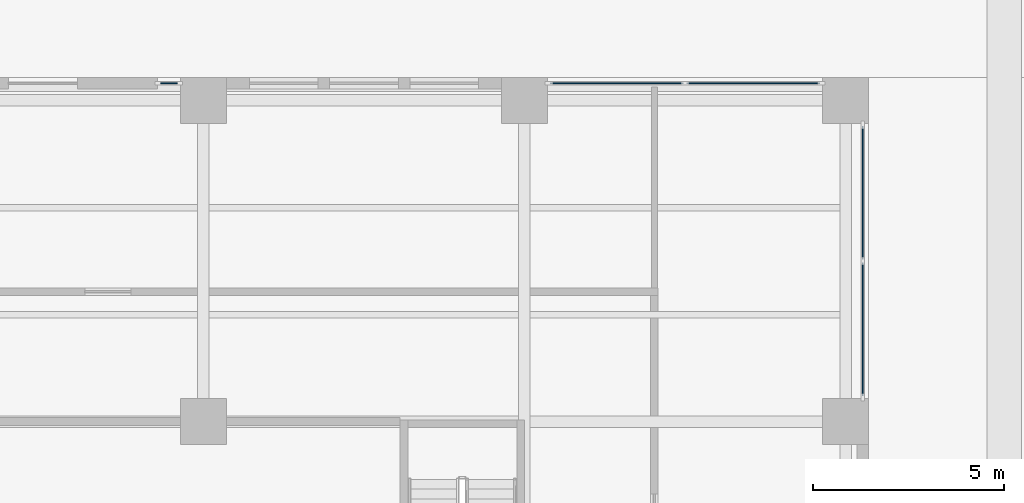
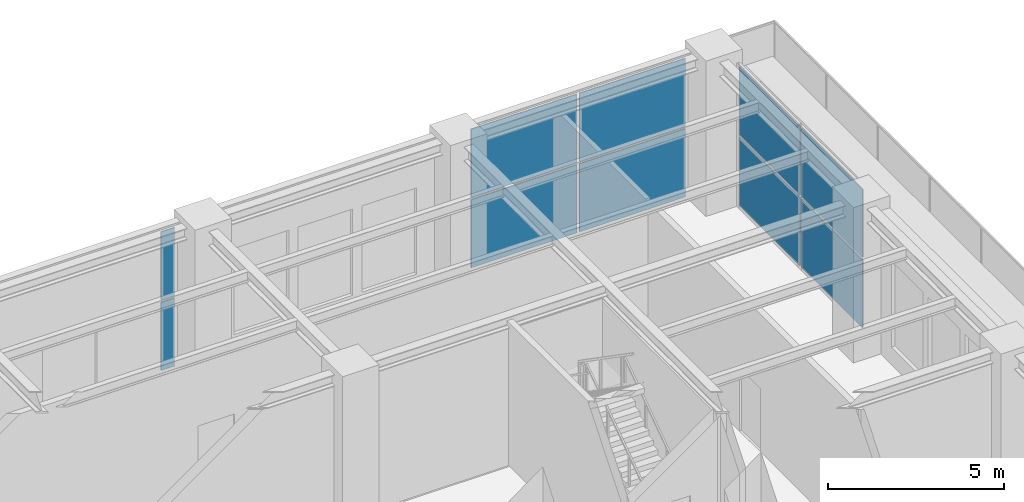
# One storey, part 21 of 36: 10 plates, 3 elements without a shape of their own.
"""IFC4 building model written with IfcOpenShell, lengths in metres."""

import ifcopenshell
import ifcopenshell.guid

model = None  # the IFC model being written
_history = None  # IfcOwnerHistory: only IFC2X3 demands one
_inside = {}  # id of a spatial element -> (the spatial element, [elements in it])
_under = {}  # id of a project, library or spatial element -> (it, [spatial elements below it])
_declared = {}  # id of a project -> (the project, [libraries it declares])
_typed = {}  # id of a type object -> (the type object, [elements of that type])
_made_of = {}  # id of a material, layer set ... -> (it, [elements and type objects made of it])


def new_model(schema):
    """Start an empty IFC model of exactly this schema.

    Asked for "IFC4X3", IfcOpenShell would pick the latest addendum, in which some entities
    have other attributes; the version numbers below select the first issue.
    IFC2X3 requires an IfcOwnerHistory on every rooted entity: one is made here for all.
    """
    global model, _history
    if schema == "IFC4X3":
        model = ifcopenshell.file(schema_version=(4, 3, 0, 0))
    else:
        model = ifcopenshell.file(schema=schema)
    _inside.clear()
    _under.clear()
    _declared.clear()
    _typed.clear()
    _made_of.clear()
    _history = None
    if model.schema == "IFC2X3":
        org = make("IfcOrganization", Name="unknown")
        user = make(
            "IfcPersonAndOrganization",
            ThePerson=make("IfcPerson", FamilyName="unknown"),
            TheOrganization=org,
        )
        app = make(
            "IfcApplication",
            ApplicationDeveloper=org,
            Version="unknown",
            ApplicationFullName="unknown",
            ApplicationIdentifier="unknown",
        )
        _history = make(
            "IfcOwnerHistory",
            OwningUser=user,
            OwningApplication=app,
            ChangeAction="ADDED",
            CreationDate=0,
        )
    return model


def make(cls, **values):
    """One entity of the class cls with the attributes given. An attribute that is None is left unset."""
    return model.create_entity(
        cls, **{name: value for name, value in values.items() if value is not None}
    )


def rooted(cls, **values):
    """An entity with a GlobalId (a new one), such as an element, a storey or a relation."""
    return make(cls, GlobalId=ifcopenshell.guid.new(), OwnerHistory=_history, **values)


def si_unit(unit_type, name, prefix=None):
    """IfcSIUnit, for example si_unit("LENGTHUNIT", "METRE", prefix="MILLI")."""
    return make("IfcSIUnit", UnitType=unit_type, Prefix=prefix, Name=name)


def assignment(units):
    """IfcUnitAssignment: the units of a project."""
    return None if units is None else make("IfcUnitAssignment", Units=units)


def point(xyz):
    """IfcCartesianPoint."""
    return None if xyz is None else make("IfcCartesianPoint", Coordinates=xyz)


def direction(xyz):
    """IfcDirection."""
    return None if xyz is None else make("IfcDirection", DirectionRatios=xyz)


def frame(location, z_axis=None, x_axis=None):
    """IfcAxis2Placement3D, a coordinate frame: its origin and axes. An axis left out is left unset."""
    return make(
        "IfcAxis2Placement3D",
        Location=point(location),
        Axis=direction(z_axis),
        RefDirection=direction(x_axis),
    )


def frame_2d(location, x_axis=None):
    """IfcAxis2Placement2D, a coordinate frame in the plane: its origin and x axis."""
    return make(
        "IfcAxis2Placement2D", Location=point(location), RefDirection=direction(x_axis)
    )


def origin():
    """The frame at (0, 0, 0) with its axes left unset."""
    return frame((0.0, 0.0, 0.0))


def origin_2d():
    """The frame at (0, 0) in the plane with its x axis left unset."""
    return frame_2d((0.0, 0.0))


def place(relative_to, where):
    """IfcLocalPlacement: puts the frame where relative to a parent placement (None: the world)."""
    return make(
        "IfcLocalPlacement", PlacementRelTo=relative_to, RelativePlacement=where
    )


def context(
    kind, dimensions, precision=None, world=None, true_north=None, identifier=None
):
    """IfcGeometricRepresentationContext, for example the 3D "Model" context."""
    return make(
        "IfcGeometricRepresentationContext",
        ContextIdentifier=identifier,
        ContextType=kind,
        CoordinateSpaceDimension=dimensions,
        Precision=precision,
        WorldCoordinateSystem=world,
        TrueNorth=true_north,
    )


def subcontext(parent, identifier, kind, view, scale=None):
    """IfcGeometricRepresentationSubContext, for example "Body" below "Model"."""
    return make(
        "IfcGeometricRepresentationSubContext",
        ContextIdentifier=identifier,
        ContextType=kind,
        ParentContext=parent,
        TargetScale=scale,
        TargetView=view,
    )


def project(units=None, contexts=None):
    """IfcProject with its units and contexts."""
    return rooted(
        "IfcProject",
        Name="project",
        RepresentationContexts=contexts,
        UnitsInContext=assignment(units),
    )


def spatial(cls, under=None, at=None, **own):
    """A site, building, storey or space (cls), placed at a placement, below another one or the project."""
    s = rooted(cls, ObjectPlacement=at, **own)
    if under is not None:
        _under.setdefault(under.id(), (under, []))[1].append(s)
    return s


def profile(cls, at=None, kind="AREA", **sizes):
    """A parametric profile (cls). Its sizes go by their IFC names, for example OverallWidth=200.0."""
    return make(cls, ProfileType=kind, Position=at, **sizes)


def rectangle(**sizes):
    """IfcRectangleProfileDef."""
    return profile("IfcRectangleProfileDef", **sizes)


def extrude(swept, where, along, depth):
    """IfcExtrudedAreaSolid: the profile swept, set in the frame where, extruded along a direction by depth."""
    return make(
        "IfcExtrudedAreaSolid",
        SweptArea=swept,
        Position=where,
        ExtrudedDirection=direction(along),
        Depth=depth,
    )


def shape(context_of_items, identifier, shape_type, items):
    """IfcShapeRepresentation: the items that make up one representation, for example the "Body"."""
    return make(
        "IfcShapeRepresentation",
        ContextOfItems=context_of_items,
        RepresentationIdentifier=identifier,
        RepresentationType=shape_type,
        Items=items,
    )


def material(Name=None, Category=None):
    """IfcMaterial."""
    return make("IfcMaterial", Name=Name, Category=Category)


def layer(
    of_material, thickness, ventilated=None, Name=None, Category=None, Priority=None
):
    """IfcMaterialLayer: one layer of a wall or slab, of a material (None: an air gap)."""
    return make(
        "IfcMaterialLayer",
        Material=of_material,
        LayerThickness=thickness,
        IsVentilated=ventilated,
        Name=Name,
        Category=Category,
        Priority=Priority,
    )


def layer_set(layers, Name=None):
    """IfcMaterialLayerSet."""
    return make("IfcMaterialLayerSet", MaterialLayers=layers, LayerSetName=Name)


def made_of(thing, what):
    """Note that an element or type object is made of a material, layer set ...; save() writes the relation."""
    if what is not None:
        _made_of.setdefault(what.id(), (what, []))[1].append(thing)
    return thing


def type_object(cls, material=None, **own):
    """A type object (cls), such as IfcWallType, which elements share."""
    return made_of(rooted(cls, **own), material)


def element(
    cls,
    number,
    at=None,
    inside=None,
    cuts=None,
    type_object=None,
    material=None,
    context=None,
    identifier="Body",
    shape_type=None,
    held_by="IfcProductDefinitionShape",
    body=None,
    shapes=None,
    **own,
):
    """One element of the class cls, such as IfcWall. Its Tag is "e" and its number.

    at: its placement. inside: the storey or other place that contains it. cuts: it is an
    opening in that element (IfcRelVoidsElement). A single representation is given by context,
    identifier, shape_type and body (its items); several are given by shapes. held_by: the class
    of the entity that holds the representations. save() writes the other relations.
    """
    e = rooted(cls, Tag="e%d" % number, ObjectPlacement=at, **own)
    if body is not None:
        shapes = [shape(context, identifier, shape_type, body)]
    if shapes is not None:
        e.Representation = make(held_by, Representations=shapes)
    if inside is not None:
        _inside.setdefault(inside.id(), (inside, []))[1].append(e)
    if cuts is not None:
        rooted(
            "IfcRelVoidsElement", RelatingBuildingElement=cuts, RelatedOpeningElement=e
        )
    if type_object is not None:
        _typed.setdefault(type_object.id(), (type_object, []))[1].append(e)
    return made_of(e, material)


def aggregate(whole, parts):
    """IfcRelAggregates: a whole, such as a stair, and the parts it consists of."""
    return rooted("IfcRelAggregates", RelatingObject=whole, RelatedObjects=parts)


def save(model, path):
    """Write the relations noted so far, then the file.

    IfcRelAggregates (storeys below a building ...), IfcRelContainedInSpatialStructure (elements
    in a storey), IfcRelDefinesByType, IfcRelAssociatesMaterial and IfcRelDeclares: one each for
    every whole, place, type object, material and project.
    """
    for whole, parts in _under.values():
        aggregate(whole, parts)
    for where, things in _inside.values():
        rooted(
            "IfcRelContainedInSpatialStructure",
            RelatedElements=things,
            RelatingStructure=where,
        )
    for kind, things in _typed.values():
        rooted("IfcRelDefinesByType", RelatedObjects=things, RelatingType=kind)
    for what, things in _made_of.values():
        rooted("IfcRelAssociatesMaterial", RelatedObjects=things, RelatingMaterial=what)
    for by, libraries in _declared.values():
        rooted("IfcRelDeclares", RelatingContext=by, RelatedDefinitions=libraries)
    model.write(path)


model = new_model("IFC4")

# Units and contexts
model_context = context("Model", 3, precision=1e-05, world=origin(), true_north=direction((0.0, 1.0)))
body_context = subcontext(model_context, "Body", "Model", "MODEL_VIEW")
ifc_project = project(units=[si_unit("LENGTHUNIT", "METRE"), si_unit("AREAUNIT", "SQUARE_METRE"), si_unit("VOLUMEUNIT", "CUBIC_METRE"), si_unit("PLANEANGLEUNIT", "RADIAN"), si_unit("MASSUNIT", "GRAM", prefix="KILO")], contexts=[model_context])

# Site, building, storey
site_placement = place(None, origin())
site = spatial("IfcSite", under=ifc_project, at=site_placement, CompositionType="ELEMENT")
building_placement = place(site_placement, origin())
building = spatial("IfcBuilding", under=site, at=building_placement, Name="Khepri Terraces", CompositionType="ELEMENT")
storey_placement = place(building_placement, frame((0.0, 0.0, 16.800048828125)))
storey = spatial("IfcBuildingStorey", under=building, at=storey_placement, Name="L03", CompositionType="ELEMENT", Elevation=16.800048828125)

# Curtain wall, plates
ifc_material_1 = material(Name="Anodised aluminium bronze curtain wall", Category="aluminium")
curtain_wall_type = type_object("IfcCurtainWallType", Name="CW-SYS5-BALLROOM", PredefinedType="NOTDEFINED", material=ifc_material_1)
curtain_wall_1_placement = place(storey_placement, origin())
curtain_wall_1 = element("IfcCurtainWall", 1, at=curtain_wall_1_placement, inside=storey, type_object=curtain_wall_type, Name="Curtain wall CW5 L03 E", PredefinedType="NOTDEFINED")
ifc_material_2 = material(Name="Clear glass", Category="glass")
ifc_layer = layer(ifc_material_2, 0.035888671875, Name="Clear glass", Category="glass")
ifc_layer_set = layer_set([ifc_layer], Name="Clear glass")
plate_type = type_object("IfcPlateType", Name="CW-PANEL-VISION-36", PredefinedType="CURTAIN_PANEL", material=ifc_layer_set)
plate_1_placement = place(storey_placement, frame((34.050048828125, 27.6201171875, 0.079833984375), z_axis=(0.0, 0.0, 1.0), x_axis=(0.0, 1.0, 0.0)))
plate_1 = element("IfcPlate", 2, at=plate_1_placement, type_object=plate_type, Name="CW5 panel 1.1", PredefinedType="CURTAIN_PANEL", context=body_context, shape_type="SweptSolid", body=[
    extrude(rectangle(XDim=3.47998046875, YDim=0.035888671875, at=origin_2d()), origin(), (0.0, 0.0, 1.0), 2.3701171875),
])
plate_2_placement = place(storey_placement, frame((34.050048828125, 27.6201171875, 2.52978515625), z_axis=(0.0, 0.0, 1.0), x_axis=(0.0, 1.0, 0.0)))
plate_2 = element("IfcPlate", 3, at=plate_2_placement, type_object=plate_type, Name="CW5 panel 1.2", PredefinedType="CURTAIN_PANEL", context=body_context, shape_type="SweptSolid", body=[
    extrude(rectangle(XDim=3.47998046875, YDim=0.035888671875, at=origin_2d()), origin(), (0.0, 0.0, 1.0), 2.3701171875),
])
plate_3_placement = place(storey_placement, frame((34.050048828125, 31.179931640625, 0.079833984375), z_axis=(0.0, 0.0, 1.0), x_axis=(0.0, 1.0, 0.0)))
plate_3 = element("IfcPlate", 4, at=plate_3_placement, type_object=plate_type, Name="CW5 panel 2.1", PredefinedType="CURTAIN_PANEL", context=body_context, shape_type="SweptSolid", body=[
    extrude(rectangle(XDim=3.47998046875, YDim=0.035888671875, at=origin_2d()), origin(), (0.0, 0.0, 1.0), 2.3701171875),
])
plate_4_placement = place(storey_placement, frame((34.050048828125, 31.179931640625, 2.52978515625), z_axis=(0.0, 0.0, 1.0), x_axis=(0.0, 1.0, 0.0)))
plate_4 = element("IfcPlate", 5, at=plate_4_placement, type_object=plate_type, Name="CW5 panel 2.2", PredefinedType="CURTAIN_PANEL", context=body_context, shape_type="SweptSolid", body=[
    extrude(rectangle(XDim=3.47998046875, YDim=0.035888671875, at=origin_2d()), origin(), (0.0, 0.0, 1.0), 2.3701171875),
])
aggregate(curtain_wall_1, [plate_1, plate_2, plate_3, plate_4])

curtain_wall_2_placement = place(storey_placement, origin())
curtain_wall_2 = element("IfcCurtainWall", 6, at=curtain_wall_2_placement, inside=storey, type_object=curtain_wall_type, Name="Curtain wall CW5 L03 N", PredefinedType="NOTDEFINED")
plate_5_placement = place(storey_placement, frame((31.179931640625, 34.050048828125, 0.079833984375), z_axis=(0.0, 0.0, 1.0), x_axis=(-1.0, 0.0, 0.0)))
plate_5 = element("IfcPlate", 7, at=plate_5_placement, type_object=plate_type, Name="CW5 panel 1.1", PredefinedType="CURTAIN_PANEL", context=body_context, shape_type="SweptSolid", body=[
    extrude(rectangle(XDim=3.47998046875, YDim=0.035888671875, at=origin_2d()), origin(), (0.0, 0.0, 1.0), 2.3701171875),
])
plate_6_placement = place(storey_placement, frame((31.179931640625, 34.050048828125, 2.52978515625), z_axis=(0.0, 0.0, 1.0), x_axis=(-1.0, 0.0, 0.0)))
plate_6 = element("IfcPlate", 8, at=plate_6_placement, type_object=plate_type, Name="CW5 panel 1.2", PredefinedType="CURTAIN_PANEL", context=body_context, shape_type="SweptSolid", body=[
    extrude(rectangle(XDim=3.47998046875, YDim=0.035888671875, at=origin_2d()), origin(), (0.0, 0.0, 1.0), 2.3701171875),
])
plate_7_placement = place(storey_placement, frame((27.6201171875, 34.050048828125, 0.079833984375), z_axis=(0.0, 0.0, 1.0), x_axis=(-1.0, 0.0, 0.0)))
plate_7 = element("IfcPlate", 9, at=plate_7_placement, type_object=plate_type, Name="CW5 panel 2.1", PredefinedType="CURTAIN_PANEL", context=body_context, shape_type="SweptSolid", body=[
    extrude(rectangle(XDim=3.47998046875, YDim=0.035888671875, at=origin_2d()), origin(), (0.0, 0.0, 1.0), 2.3701171875),
])
plate_8_placement = place(storey_placement, frame((27.6201171875, 34.050048828125, 2.52978515625), z_axis=(0.0, 0.0, 1.0), x_axis=(-1.0, 0.0, 0.0)))
plate_8 = element("IfcPlate", 10, at=plate_8_placement, type_object=plate_type, Name="CW5 panel 2.2", PredefinedType="CURTAIN_PANEL", context=body_context, shape_type="SweptSolid", body=[
    extrude(rectangle(XDim=3.47998046875, YDim=0.035888671875, at=origin_2d()), origin(), (0.0, 0.0, 1.0), 2.3701171875),
])
aggregate(curtain_wall_2, [plate_5, plate_6, plate_7, plate_8])

curtain_wall_3_placement = place(storey_placement, origin())
curtain_wall_3 = element("IfcCurtainWall", 11, at=curtain_wall_3_placement, inside=storey, type_object=curtain_wall_type, Name="Curtain wall CW5 L03 N", PredefinedType="NOTDEFINED")
plate_9_placement = place(storey_placement, frame((15.89990234375, 34.050048828125, 0.079833984375), z_axis=(0.0, 0.0, 1.0), x_axis=(-1.0, 0.0, 0.0)))
plate_9 = element("IfcPlate", 12, at=plate_9_placement, type_object=plate_type, Name="CW5 panel 1.1", PredefinedType="CURTAIN_PANEL", context=body_context, shape_type="SweptSolid", body=[
    extrude(rectangle(XDim=0.43994140625, YDim=0.035888671875, at=origin_2d()), origin(), (0.0, 0.0, 1.0), 2.3701171875),
])
plate_10_placement = place(storey_placement, frame((15.89990234375, 34.050048828125, 2.52978515625), z_axis=(0.0, 0.0, 1.0), x_axis=(-1.0, 0.0, 0.0)))
plate_10 = element("IfcPlate", 13, at=plate_10_placement, type_object=plate_type, Name="CW5 panel 1.2", PredefinedType="CURTAIN_PANEL", context=body_context, shape_type="SweptSolid", body=[
    extrude(rectangle(XDim=0.43994140625, YDim=0.035888671875, at=origin_2d()), origin(), (0.0, 0.0, 1.0), 2.3701171875),
])
aggregate(curtain_wall_3, [plate_9, plate_10])

save(model, "model.ifc")
